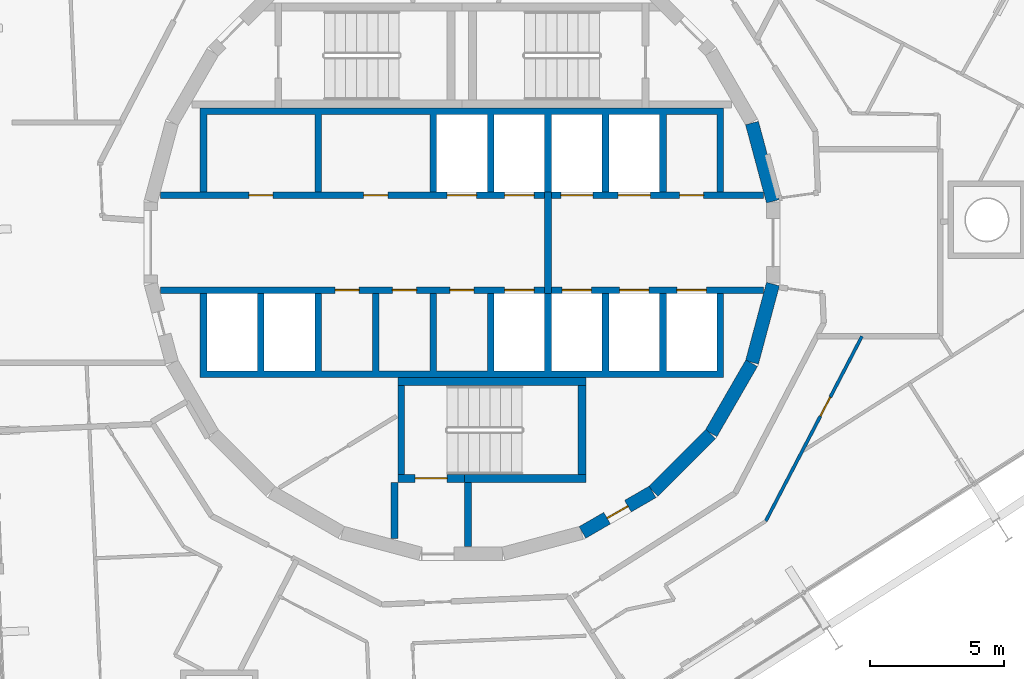
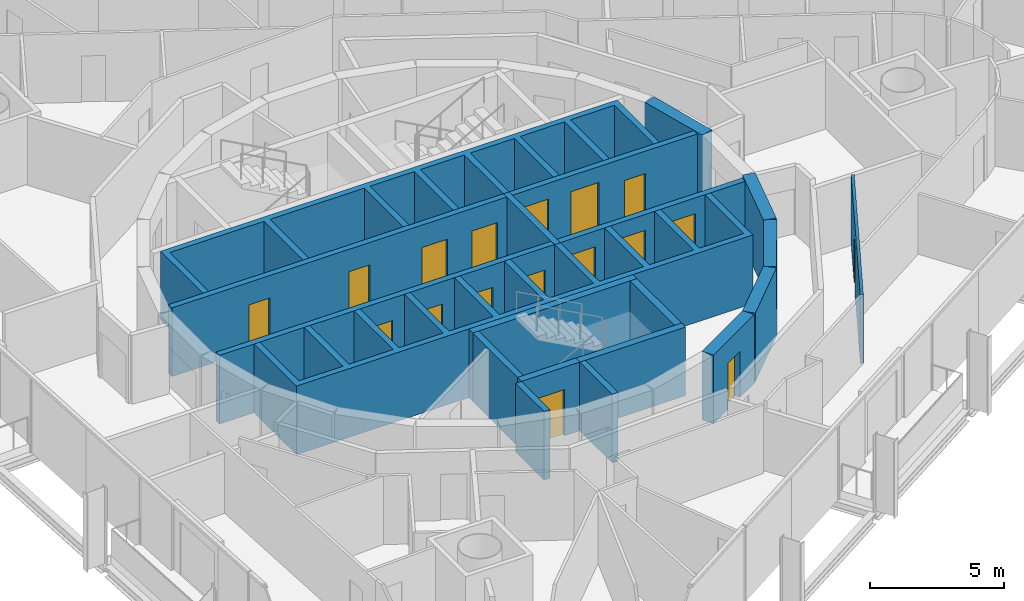
# One storey, part 13 of 17: 20 walls, 17 doors, 17 openings.
"""IFC4 building model written with IfcOpenShell, lengths in metres."""

from ifc_helpers import new_model, si_unit, direction, frame, frame_2d, origin, place, context, subcontext, project, spatial, polyline, rectangle, outline, extrude, material, layer, layer_set, type_object, element, fill, save


model = new_model("IFC4")

# Units and contexts
model_context = context("Model", 3, precision=1e-05, world=origin(), true_north=direction((0.0, 1.0)))
body_context = subcontext(model_context, "Body", "Model", "MODEL_VIEW")
ifc_project = project(units=[si_unit("LENGTHUNIT", "METRE"), si_unit("AREAUNIT", "SQUARE_METRE"), si_unit("VOLUMEUNIT", "CUBIC_METRE"), si_unit("PLANEANGLEUNIT", "RADIAN"), si_unit("MASSUNIT", "GRAM", prefix="KILO")], contexts=[model_context])

# Site, building, storey
site_placement = place(None, origin())
site = spatial("IfcSite", under=ifc_project, at=site_placement, CompositionType="ELEMENT")
building_placement = place(site_placement, origin())
building = spatial("IfcBuilding", under=site, at=building_placement, Name="Spindle Arch Residences", CompositionType="ELEMENT")
storey_placement = place(building_placement, frame((0.0, 0.0, 237.199951171875)))
storey = spatial("IfcBuildingStorey", under=building, at=storey_placement, Name="L60", CompositionType="ELEMENT", Elevation=237.199951171875)

# Wall, opening, door
ifc_material_1 = material(Name="Concrete C50/60", Category="concrete")
ifc_layer_1 = layer(ifc_material_1, 0.5)
ifc_layer_set_1 = layer_set([ifc_layer_1], Name="Core outline wall 500")
wall_type_1 = type_object("IfcWallType", Name="Core outline wall 500", PredefinedType="SHEAR", material=ifc_layer_set_1)
wall_1_placement = place(storey_placement, frame((4.510498046875, -10.84521484375, 0.0), z_axis=(0.0, 0.0, 1.0), x_axis=(0.865975092491, 0.500087131594, 0.0)))
wall_1 = element("IfcWall", 1, at=wall_1_placement, inside=storey, type_object=wall_type_1, Name="Core outline wall 2", PredefinedType="SHEAR", context=body_context, shape_type="SweptSolid", body=[
    extrude(rectangle(XDim=3.03271484375, YDim=0.5, at=frame_2d((1.516357421875, 0.0))), origin(), (0.0, 0.0, 1.0), 3.1201171875),
])
opening_1_placement = place(wall_1_placement, frame((1.06640625, 0.0, 0.0)))
opening_1 = element("IfcOpeningElement", 2, at=opening_1_placement, cuts=wall_1, Name="Opening R6B1-WD10", PredefinedType="OPENING", context=body_context, shape_type="SweptSolid", body=[
    extrude(rectangle(XDim=0.89990234375, YDim=2.10009765625, at=frame_2d((0.449951171875, 1.050048828125))), frame((0.0, 0.260009765625, 0.0), z_axis=(0.0, -1.0, 0.0), x_axis=(1.0, 0.0, 0.0)), (0.0, 0.0, 1.0), 0.52001953125),
])
ifc_material_2 = material(Name="Steel, fire-resisting door", Category="steel")
door_type_1 = type_object("IfcDoorType", Name="Service room door 900x2100", OperationType="SINGLE_SWING_LEFT", PredefinedType="DOOR", material=ifc_material_2)
door_1_placement = place(opening_1_placement, origin())
door_1 = element("IfcDoor", 3, at=door_1_placement, inside=storey, type_object=door_type_1, Name="Service room door R6B1-WD10", OperationType="SINGLE_SWING_RIGHT", OverallHeight=2.10009765625, OverallWidth=0.89990234375, PredefinedType="DOOR", context=body_context, shape_type="SweptSolid", body=[
    extrude(rectangle(XDim=0.89990234375, YDim=2.10009765625, at=frame_2d((0.449951171875, 1.050048828125))), frame((0.0, 0.02490234375, 0.0), z_axis=(0.0, -1.0, 0.0), x_axis=(1.0, 0.0, 0.0)), (0.0, 0.0, 1.0), 0.050048828125),
])
fill(opening_1, door_1)

# Walls
wall_2_placement = place(storey_placement, frame((7.163818359375, -9.30810546875, 0.0), z_axis=(0.0, 0.0, 1.0), x_axis=(0.707106781187, 0.707106781187, 0.0)))
element("IfcWall", 4, at=wall_2_placement, inside=storey, type_object=wall_type_1, Name="Core outline wall 3", PredefinedType="SHEAR", context=body_context, shape_type="SweptSolid", body=[
    extrude(rectangle(XDim=3.032470703125, YDim=0.5, at=frame_2d((1.51611328125, 0.0))), origin(), (0.0, 0.0, 1.0), 3.1201171875),
])
for number, where, z_axis, x_axis, name in (
    (5, (9.32861328125, -7.13671875, 0.0), (0.0, 0.0, 1.0), (0.500087131594, 0.865975092491, 0.0), "Core outline wall 4"),
    (6, (10.858154296875, -4.479248046875, 0.0), (0.0, 0.0, 1.0), (0.258734743916, 0.965948410781, 0.0), "Core outline wall 5"),
    (7, (11.642822265625, 1.5498046875, 0.0), (0.0, 0.0, 1.0), (-0.258734743916, 0.965948410781, 0.0), "Core outline wall 7"),
):
    element("IfcWall", number, at=place(storey_placement, frame(where, z_axis=z_axis, x_axis=x_axis)), inside=storey, type_object=wall_type_1, Name=name, PredefinedType="SHEAR", context=body_context, shape_type="SweptSolid", body=[
        extrude(rectangle(XDim=3.03271484375, YDim=0.5, at=frame_2d((1.516357421875, 0.0))), origin(), (0.0, 0.0, 1.0), 3.1201171875),
    ])

# Wall, openings, doors
ifc_material_3 = material(Name="Concrete C40/50", Category="concrete")
ifc_layer_2 = layer(ifc_material_3, 0.25)
ifc_layer_set_2 = layer_set([ifc_layer_2], Name="Fire-lift lobby wall 250")
wall_type_2 = type_object("IfcWallType", Name="Fire-lift lobby wall 250", PredefinedType="SHEAR", material=ifc_layer_set_2)
wall_3_placement = place(storey_placement, frame((3.35009765625, 1.77490234375, 0.0), z_axis=(0.0, 0.0, 1.0), x_axis=(1.0, 0.0, 0.0)))
wall_3 = element("IfcWall", 8, at=wall_3_placement, inside=storey, type_object=wall_type_2, Name="Lift shaft front wall NE", PredefinedType="SHEAR", context=body_context, shape_type="SweptSolid", body=[
    extrude(rectangle(XDim=7.929931640625, YDim=0.25, at=frame_2d((3.96484375, 0.0))), origin(), (0.0, 0.0, 1.0), 3.1201171875),
])
opening_2_placement = place(wall_3_placement, frame((0.35009765625, 0.0, 0.0)))
opening_2 = element("IfcOpeningElement", 9, at=opening_2_placement, cuts=wall_3, Name="Opening R6B1-SLD01", PredefinedType="OPENING", context=body_context, shape_type="SweptSolid", body=[
    extrude(rectangle(XDim=1.199951171875, YDim=2.39990234375, at=frame_2d((0.60009765625, 1.199951171875))), frame((0.0, 0.135009765625, 0.0), z_axis=(0.0, -1.0, 0.0), x_axis=(1.0, 0.0, 0.0)), (0.0, 0.0, 1.0), 0.27001953125),
])
opening_3_placement = place(wall_3_placement, frame((2.5, 0.0, 0.0)))
opening_3 = element("IfcOpeningElement", 10, at=opening_3_placement, cuts=wall_3, Name="Opening R6B1-SLD02", PredefinedType="OPENING", context=body_context, shape_type="SweptSolid", body=[
    extrude(rectangle(XDim=1.199951171875, YDim=2.39990234375, at=frame_2d((0.60009765625, 1.199951171875))), frame((0.0, 0.135009765625, 0.0), z_axis=(0.0, -1.0, 0.0), x_axis=(1.0, 0.0, 0.0)), (0.0, 0.0, 1.0), 0.27001953125),
])
opening_4_placement = place(wall_3_placement, frame((4.800048828125, 0.0, 0.0)))
opening_4 = element("IfcOpeningElement", 11, at=opening_4_placement, cuts=wall_3, Name="Opening R6B1-WD03", PredefinedType="OPENING", context=body_context, shape_type="SweptSolid", body=[
    extrude(rectangle(XDim=0.89990234375, YDim=2.10009765625, at=frame_2d((0.449951171875, 1.050048828125))), frame((0.0, 0.135009765625, 0.0), z_axis=(0.0, -1.0, 0.0), x_axis=(1.0, 0.0, 0.0)), (0.0, 0.0, 1.0), 0.27001953125),
])
ifc_material_4 = material(Name="Steel, fire-resisting landing door", Category="steel")
door_type_2 = type_object("IfcDoorType", Name="Service lift landing door 1200x2400", OperationType="DOUBLE_DOOR_SLIDING", PredefinedType="DOOR", material=ifc_material_4)
door_2_placement = place(opening_2_placement, origin())
door_2 = element("IfcDoor", 12, at=door_2_placement, inside=storey, type_object=door_type_2, Name="Service lift landing door R6B1-SLD01", OperationType="DOUBLE_DOOR_SLIDING", OverallHeight=2.39990234375, OverallWidth=1.199951171875, PredefinedType="DOOR", context=body_context, shape_type="SweptSolid", body=[
    extrude(rectangle(XDim=1.199951171875, YDim=2.39990234375, at=frame_2d((0.60009765625, 1.199951171875))), frame((0.0, 0.02490234375, 0.0), z_axis=(0.0, -1.0, 0.0), x_axis=(1.0, 0.0, 0.0)), (0.0, 0.0, 1.0), 0.050048828125),
])
fill(opening_2, door_2)
door_3_placement = place(opening_3_placement, origin())
door_3 = element("IfcDoor", 13, at=door_3_placement, inside=storey, type_object=door_type_2, Name="Service lift landing door R6B1-SLD02", OperationType="DOUBLE_DOOR_SLIDING", OverallHeight=2.39990234375, OverallWidth=1.199951171875, PredefinedType="DOOR", context=body_context, shape_type="SweptSolid", body=[
    extrude(rectangle(XDim=1.199951171875, YDim=2.39990234375, at=frame_2d((0.60009765625, 1.199951171875))), frame((0.0, 0.02490234375, 0.0), z_axis=(0.0, -1.0, 0.0), x_axis=(1.0, 0.0, 0.0)), (0.0, 0.0, 1.0), 0.050048828125),
])
fill(opening_3, door_3)
door_4_placement = place(opening_4_placement, origin())
door_4 = element("IfcDoor", 14, at=door_4_placement, inside=storey, type_object=door_type_1, Name="Service room door R6B1-WD03", OperationType="SINGLE_SWING_LEFT", OverallHeight=2.10009765625, OverallWidth=0.89990234375, PredefinedType="DOOR", context=body_context, shape_type="SweptSolid", body=[
    extrude(rectangle(XDim=0.89990234375, YDim=2.10009765625, at=frame_2d((0.449951171875, 1.050048828125))), frame((0.0, 0.02490234375, 0.0), z_axis=(0.0, -1.0, 0.0), x_axis=(1.0, 0.0, 0.0)), (0.0, 0.0, 1.0), 0.050048828125),
])
fill(opening_4, door_4)

# Wall
wall_4_placement = place(storey_placement, frame((3.22509765625, -1.89990234375, 0.0), z_axis=(0.0, 0.0, 1.0), x_axis=(0.0, 1.0, 0.0)))
element("IfcWall", 15, at=wall_4_placement, inside=storey, type_object=wall_type_2, Name="Fire-fighting lobby partition", PredefinedType="SHEAR", context=body_context, shape_type="SweptSolid", body=[
    extrude(rectangle(XDim=3.7998046875, YDim=0.25, at=frame_2d((1.89990234375, 0.0))), origin(), (0.0, 0.0, 1.0), 3.1201171875),
])

# Wall, openings, doors
ifc_material_5 = material(Name="Concrete C50/60", Category="concrete")
ifc_layer_3 = layer(ifc_material_5, 0.25)
ifc_layer_set_3 = layer_set([ifc_layer_3], Name="Fire-lift shaft wall 250")
wall_type_3 = type_object("IfcWallType", Name="Fire-lift shaft wall 250", PredefinedType="SHEAR", material=ifc_layer_set_3)
wall_5_placement = place(storey_placement, frame((3.35009765625, -1.77490234375, 0.0), z_axis=(0.0, 0.0, 1.0), x_axis=(1.0, 0.0, 0.0)))
wall_5 = element("IfcWall", 16, at=wall_5_placement, inside=storey, type_object=wall_type_3, Name="Lift shaft front wall SE", PredefinedType="SHEAR", context=body_context, shape_type="SweptSolid", body=[
    extrude(rectangle(XDim=7.929931640625, YDim=0.25, at=frame_2d((3.96484375, 0.0))), origin(), (0.0, 0.0, 1.0), 3.1201171875),
])
opening_5_placement = place(wall_5_placement, frame((0.39990234375, 0.0, 0.0)))
opening_5 = element("IfcOpeningElement", 17, at=opening_5_placement, cuts=wall_5, Name="Opening R6B1-FLD01", PredefinedType="OPENING", context=body_context, shape_type="SweptSolid", body=[
    extrude(rectangle(XDim=1.10009765625, YDim=2.39990234375, at=frame_2d((0.550048828125, 1.199951171875))), frame((0.0, 0.135009765625, 0.0), z_axis=(0.0, -1.0, 0.0), x_axis=(1.0, 0.0, 0.0)), (0.0, 0.0, 1.0), 0.27001953125),
])
opening_6_placement = place(wall_5_placement, frame((2.550048828125, 0.0, 0.0)))
opening_6 = element("IfcOpeningElement", 18, at=opening_6_placement, cuts=wall_5, Name="Opening R6B1-FLD02", PredefinedType="OPENING", context=body_context, shape_type="SweptSolid", body=[
    extrude(rectangle(XDim=1.10009765625, YDim=2.39990234375, at=frame_2d((0.550048828125, 1.199951171875))), frame((0.0, 0.135009765625, 0.0), z_axis=(0.0, -1.0, 0.0), x_axis=(1.0, 0.0, 0.0)), (0.0, 0.0, 1.0), 0.27001953125),
])
opening_7_placement = place(wall_5_placement, frame((4.699951171875, 0.0, 0.0)))
opening_7 = element("IfcOpeningElement", 19, at=opening_7_placement, cuts=wall_5, Name="Opening R6B1-FLD03", PredefinedType="OPENING", context=body_context, shape_type="SweptSolid", body=[
    extrude(rectangle(XDim=1.10009765625, YDim=2.39990234375, at=frame_2d((0.550048828125, 1.199951171875))), frame((0.0, 0.135009765625, 0.0), z_axis=(0.0, -1.0, 0.0), x_axis=(1.0, 0.0, 0.0)), (0.0, 0.0, 1.0), 0.27001953125),
])
ifc_material_6 = material(Name="Steel, fire-resisting landing door", Category="steel")
door_type_3 = type_object("IfcDoorType", Name="Fire-fighting lift landing door 1100x2400", OperationType="DOUBLE_DOOR_SLIDING", PredefinedType="DOOR", material=ifc_material_6)
door_5_placement = place(opening_5_placement, origin())
door_5 = element("IfcDoor", 20, at=door_5_placement, inside=storey, type_object=door_type_3, Name="Fire-fighting lift landing door R6B1-FLD01", OperationType="DOUBLE_DOOR_SLIDING", OverallHeight=2.39990234375, OverallWidth=1.10009765625, PredefinedType="DOOR", context=body_context, shape_type="SweptSolid", body=[
    extrude(rectangle(XDim=1.10009765625, YDim=2.39990234375, at=frame_2d((0.550048828125, 1.199951171875))), frame((0.0, 0.02490234375, 0.0), z_axis=(0.0, -1.0, 0.0), x_axis=(1.0, 0.0, 0.0)), (0.0, 0.0, 1.0), 0.050048828125),
])
fill(opening_5, door_5)
door_6_placement = place(opening_6_placement, origin())
door_6 = element("IfcDoor", 21, at=door_6_placement, inside=storey, type_object=door_type_3, Name="Fire-fighting lift landing door R6B1-FLD02", OperationType="DOUBLE_DOOR_SLIDING", OverallHeight=2.39990234375, OverallWidth=1.10009765625, PredefinedType="DOOR", context=body_context, shape_type="SweptSolid", body=[
    extrude(rectangle(XDim=1.10009765625, YDim=2.39990234375, at=frame_2d((0.550048828125, 1.199951171875))), frame((0.0, 0.02490234375, 0.0), z_axis=(0.0, -1.0, 0.0), x_axis=(1.0, 0.0, 0.0)), (0.0, 0.0, 1.0), 0.050048828125),
])
fill(opening_6, door_6)
door_7_placement = place(opening_7_placement, origin())
door_7 = element("IfcDoor", 22, at=door_7_placement, inside=storey, type_object=door_type_3, Name="Fire-fighting lift landing door R6B1-FLD03", OperationType="DOUBLE_DOOR_SLIDING", OverallHeight=2.39990234375, OverallWidth=1.10009765625, PredefinedType="DOOR", context=body_context, shape_type="SweptSolid", body=[
    extrude(rectangle(XDim=1.10009765625, YDim=2.39990234375, at=frame_2d((0.550048828125, 1.199951171875))), frame((0.0, 0.02490234375, 0.0), z_axis=(0.0, -1.0, 0.0), x_axis=(1.0, 0.0, 0.0)), (0.0, 0.0, 1.0), 0.050048828125),
])
fill(opening_7, door_7)

# Wall, opening, door
ifc_material_7 = material(Name="Plasterboard on steel studs", Category="steel")
ifc_layer_4 = layer(ifc_material_7, 0.1201171875)
ifc_layer_set_4 = layer_set([ifc_layer_4], Name="Flat partition 120")
wall_type_4 = type_object("IfcWallType", Name="Flat partition 120", PredefinedType="PARTITIONING", material=ifc_layer_set_4)
wall_6_placement = place(storey_placement, frame((11.373046875, -10.42138671875, 0.0), z_axis=(0.0, 0.0, 1.0), x_axis=(0.461746745223, 0.887011805601, 0.0)))
wall_6 = element("IfcWall", 23, at=wall_6_placement, inside=storey, type_object=wall_type_4, Name="Flat partition R6B1-W097", PredefinedType="PARTITIONING", context=body_context, shape_type="SweptSolid", body=[
    extrude(rectangle(XDim=7.802978515625, YDim=0.1201171875, at=frame_2d((3.9013671875, 0.0))), origin(), (0.0, 0.0, 1.0), 3.1201171875),
])
opening_8_placement = place(wall_6_placement, frame((4.431396484375, 0.0, 0.0)))
opening_8 = element("IfcOpeningElement", 24, at=opening_8_placement, cuts=wall_6, Name="Opening R6B1-BD06", PredefinedType="OPENING", context=body_context, shape_type="SweptSolid", body=[
    extrude(rectangle(XDim=0.800048828125, YDim=2.10009765625, at=frame_2d((0.39990234375, 1.050048828125))), frame((0.0, 0.070068359375, 0.0), z_axis=(0.0, -1.0, 0.0), x_axis=(1.0, 0.0, 0.0)), (0.0, 0.0, 1.0), 0.14013671875),
])
ifc_material_8 = material(Name="Timber door set", Category="wood")
door_type_4 = type_object("IfcDoorType", Name="Bathroom door 800x2100", OperationType="NOTDEFINED", PredefinedType="DOOR", material=ifc_material_8)
door_8_placement = place(opening_8_placement, origin())
door_8 = element("IfcDoor", 25, at=door_8_placement, inside=storey, type_object=door_type_4, Name="Bathroom door R6B1-BD06", OperationType="SINGLE_SWING_RIGHT", OverallHeight=2.10009765625, OverallWidth=0.800048828125, PredefinedType="DOOR", context=body_context, shape_type="SweptSolid", body=[
    extrude(rectangle(XDim=0.800048828125, YDim=2.10009765625, at=frame_2d((0.39990234375, 1.050048828125))), frame((0.0, 0.02490234375, 0.0), z_axis=(0.0, -1.0, 0.0), x_axis=(1.0, 0.0, 0.0)), (0.0, 0.0, 1.0), 0.050048828125),
])
fill(opening_8, door_8)

# Wall, openings, doors
ifc_material_9 = material(Name="Concrete C50/60", Category="concrete")
ifc_layer_5 = layer(ifc_material_9, 0.25)
ifc_layer_set_5 = layer_set([ifc_layer_5], Name="Lift shaft wall 250")
wall_type_5 = type_object("IfcWallType", Name="Lift shaft wall 250", PredefinedType="SHEAR", material=ifc_layer_set_5)
wall_7_placement = place(storey_placement, frame((-11.280029296875, 1.77490234375, 0.0), z_axis=(0.0, 0.0, 1.0), x_axis=(1.0, 0.0, 0.0)))
wall_7 = element("IfcWall", 26, at=wall_7_placement, inside=storey, type_object=wall_type_5, Name="Lift shaft front wall NW", PredefinedType="SHEAR", context=body_context, shape_type="SweptSolid", body=[
    extrude(rectangle(XDim=14.380126953125, YDim=0.25, at=frame_2d((7.18994140625, 0.0))), origin(), (0.0, 0.0, 1.0), 3.1201171875),
])
opening_9_placement = place(wall_7_placement, frame((10.72998046875, 0.0, 0.0)))
opening_9 = element("IfcOpeningElement", 27, at=opening_9_placement, cuts=wall_7, Name="Opening R6B1-LD01", PredefinedType="OPENING", context=body_context, shape_type="SweptSolid", body=[
    extrude(rectangle(XDim=1.10009765625, YDim=2.10009765625, at=frame_2d((0.550048828125, 1.050048828125))), frame((0.0, 0.135009765625, 0.0), z_axis=(0.0, -1.0, 0.0), x_axis=(1.0, 0.0, 0.0)), (0.0, 0.0, 1.0), 0.27001953125),
])
opening_10_placement = place(wall_7_placement, frame((12.8798828125, 0.0, 0.0)))
opening_10 = element("IfcOpeningElement", 28, at=opening_10_placement, cuts=wall_7, Name="Opening R6B1-LD02", PredefinedType="OPENING", context=body_context, shape_type="SweptSolid", body=[
    extrude(rectangle(XDim=1.10009765625, YDim=2.10009765625, at=frame_2d((0.550048828125, 1.050048828125))), frame((0.0, 0.135009765625, 0.0), z_axis=(0.0, -1.0, 0.0), x_axis=(1.0, 0.0, 0.0)), (0.0, 0.0, 1.0), 0.27001953125),
])
opening_11_placement = place(wall_7_placement, frame((3.304931640625, 0.0, 0.0)))
opening_11 = element("IfcOpeningElement", 29, at=opening_11_placement, cuts=wall_7, Name="Opening R6B1-WD01", PredefinedType="OPENING", context=body_context, shape_type="SweptSolid", body=[
    extrude(rectangle(XDim=0.89990234375, YDim=2.10009765625, at=frame_2d((0.449951171875, 1.050048828125))), frame((0.0, 0.135009765625, 0.0), z_axis=(0.0, -1.0, 0.0), x_axis=(1.0, 0.0, 0.0)), (0.0, 0.0, 1.0), 0.27001953125),
])
opening_12_placement = place(wall_7_placement, frame((7.60498046875, 0.0, 0.0)))
opening_12 = element("IfcOpeningElement", 30, at=opening_12_placement, cuts=wall_7, Name="Opening R6B1-WD02", PredefinedType="OPENING", context=body_context, shape_type="SweptSolid", body=[
    extrude(rectangle(XDim=0.89990234375, YDim=2.10009765625, at=frame_2d((0.449951171875, 1.050048828125))), frame((0.0, 0.135009765625, 0.0), z_axis=(0.0, -1.0, 0.0), x_axis=(1.0, 0.0, 0.0)), (0.0, 0.0, 1.0), 0.27001953125),
])
ifc_material_10 = material(Name="Steel, fire-resisting landing door", Category="steel")
door_type_5 = type_object("IfcDoorType", Name="Lift landing door 1100x2100", OperationType="DOUBLE_DOOR_SLIDING", PredefinedType="DOOR", material=ifc_material_10)
door_9_placement = place(opening_9_placement, origin())
door_9 = element("IfcDoor", 31, at=door_9_placement, inside=storey, type_object=door_type_5, Name="Lift landing door R6B1-LD01", OperationType="DOUBLE_DOOR_SLIDING", OverallHeight=2.10009765625, OverallWidth=1.10009765625, PredefinedType="DOOR", context=body_context, shape_type="SweptSolid", body=[
    extrude(rectangle(XDim=1.10009765625, YDim=2.10009765625, at=frame_2d((0.550048828125, 1.050048828125))), frame((0.0, 0.02490234375, 0.0), z_axis=(0.0, -1.0, 0.0), x_axis=(1.0, 0.0, 0.0)), (0.0, 0.0, 1.0), 0.050048828125),
])
fill(opening_9, door_9)
door_10_placement = place(opening_10_placement, origin())
door_10 = element("IfcDoor", 32, at=door_10_placement, inside=storey, type_object=door_type_5, Name="Lift landing door R6B1-LD02", OperationType="DOUBLE_DOOR_SLIDING", OverallHeight=2.10009765625, OverallWidth=1.10009765625, PredefinedType="DOOR", context=body_context, shape_type="SweptSolid", body=[
    extrude(rectangle(XDim=1.10009765625, YDim=2.10009765625, at=frame_2d((0.550048828125, 1.050048828125))), frame((0.0, 0.02490234375, 0.0), z_axis=(0.0, -1.0, 0.0), x_axis=(1.0, 0.0, 0.0)), (0.0, 0.0, 1.0), 0.050048828125),
])
fill(opening_10, door_10)
door_11_placement = place(opening_11_placement, origin())
door_11 = element("IfcDoor", 33, at=door_11_placement, inside=storey, type_object=door_type_1, Name="Service room door R6B1-WD01", OperationType="SINGLE_SWING_LEFT", OverallHeight=2.10009765625, OverallWidth=0.89990234375, PredefinedType="DOOR", context=body_context, shape_type="SweptSolid", body=[
    extrude(rectangle(XDim=0.89990234375, YDim=2.10009765625, at=frame_2d((0.449951171875, 1.050048828125))), frame((0.0, 0.02490234375, 0.0), z_axis=(0.0, -1.0, 0.0), x_axis=(1.0, 0.0, 0.0)), (0.0, 0.0, 1.0), 0.050048828125),
])
fill(opening_11, door_11)
door_12_placement = place(opening_12_placement, origin())
door_12 = element("IfcDoor", 34, at=door_12_placement, inside=storey, type_object=door_type_1, Name="Service room door R6B1-WD02", OperationType="SINGLE_SWING_RIGHT", OverallHeight=2.10009765625, OverallWidth=0.89990234375, PredefinedType="DOOR", context=body_context, shape_type="SweptSolid", body=[
    extrude(rectangle(XDim=0.89990234375, YDim=2.10009765625, at=frame_2d((0.449951171875, 1.050048828125))), frame((0.0, 0.02490234375, 0.0), z_axis=(0.0, -1.0, 0.0), x_axis=(1.0, 0.0, 0.0)), (0.0, 0.0, 1.0), 0.050048828125),
])
fill(opening_12, door_12)

wall_8_placement = place(storey_placement, frame((-11.280029296875, -1.77490234375, 0.0), z_axis=(0.0, 0.0, 1.0), x_axis=(1.0, 0.0, 0.0)))
wall_8 = element("IfcWall", 35, at=wall_8_placement, inside=storey, type_object=wall_type_5, Name="Lift shaft front wall SW", PredefinedType="SHEAR", context=body_context, shape_type="SweptSolid", body=[
    extrude(rectangle(XDim=14.380126953125, YDim=0.25, at=frame_2d((7.18994140625, 0.0))), origin(), (0.0, 0.0, 1.0), 3.1201171875),
])
opening_13_placement = place(wall_8_placement, frame((12.8798828125, 0.0, 0.0)))
opening_13 = element("IfcOpeningElement", 36, at=opening_13_placement, cuts=wall_8, Name="Opening R6B1-LD03", PredefinedType="OPENING", context=body_context, shape_type="SweptSolid", body=[
    extrude(rectangle(XDim=1.10009765625, YDim=2.10009765625, at=frame_2d((0.550048828125, 1.050048828125))), frame((0.0, 0.135009765625, 0.0), z_axis=(0.0, -1.0, 0.0), x_axis=(1.0, 0.0, 0.0)), (0.0, 0.0, 1.0), 0.27001953125),
])
opening_14_placement = place(wall_8_placement, frame((6.530029296875, 0.0, 0.0)))
opening_14 = element("IfcOpeningElement", 37, at=opening_14_placement, cuts=wall_8, Name="Opening R6B1-WD04", PredefinedType="OPENING", context=body_context, shape_type="SweptSolid", body=[
    extrude(rectangle(XDim=0.89990234375, YDim=2.10009765625, at=frame_2d((0.449951171875, 1.050048828125))), frame((0.0, 0.135009765625, 0.0), z_axis=(0.0, -1.0, 0.0), x_axis=(1.0, 0.0, 0.0)), (0.0, 0.0, 1.0), 0.27001953125),
])
opening_15_placement = place(wall_8_placement, frame((8.679931640625, 0.0, 0.0)))
opening_15 = element("IfcOpeningElement", 38, at=opening_15_placement, cuts=wall_8, Name="Opening R6B1-WD05", PredefinedType="OPENING", context=body_context, shape_type="SweptSolid", body=[
    extrude(rectangle(XDim=0.89990234375, YDim=2.10009765625, at=frame_2d((0.449951171875, 1.050048828125))), frame((0.0, 0.135009765625, 0.0), z_axis=(0.0, -1.0, 0.0), x_axis=(1.0, 0.0, 0.0)), (0.0, 0.0, 1.0), 0.27001953125),
])
opening_16_placement = place(wall_8_placement, frame((10.830078125, 0.0, 0.0)))
opening_16 = element("IfcOpeningElement", 39, at=opening_16_placement, cuts=wall_8, Name="Opening R6B1-WD06", PredefinedType="OPENING", context=body_context, shape_type="SweptSolid", body=[
    extrude(rectangle(XDim=0.89990234375, YDim=2.10009765625, at=frame_2d((0.449951171875, 1.050048828125))), frame((0.0, 0.135009765625, 0.0), z_axis=(0.0, -1.0, 0.0), x_axis=(1.0, 0.0, 0.0)), (0.0, 0.0, 1.0), 0.27001953125),
])
door_13_placement = place(opening_13_placement, origin())
door_13 = element("IfcDoor", 40, at=door_13_placement, inside=storey, type_object=door_type_5, Name="Lift landing door R6B1-LD03", OperationType="DOUBLE_DOOR_SLIDING", OverallHeight=2.10009765625, OverallWidth=1.10009765625, PredefinedType="DOOR", context=body_context, shape_type="SweptSolid", body=[
    extrude(rectangle(XDim=1.10009765625, YDim=2.10009765625, at=frame_2d((0.550048828125, 1.050048828125))), frame((0.0, 0.02490234375, 0.0), z_axis=(0.0, -1.0, 0.0), x_axis=(1.0, 0.0, 0.0)), (0.0, 0.0, 1.0), 0.050048828125),
])
fill(opening_13, door_13)
door_14_placement = place(opening_14_placement, origin())
door_14 = element("IfcDoor", 41, at=door_14_placement, inside=storey, type_object=door_type_1, Name="Service room door R6B1-WD04", OperationType="SINGLE_SWING_RIGHT", OverallHeight=2.10009765625, OverallWidth=0.89990234375, PredefinedType="DOOR", context=body_context, shape_type="SweptSolid", body=[
    extrude(rectangle(XDim=0.89990234375, YDim=2.10009765625, at=frame_2d((0.449951171875, 1.050048828125))), frame((0.0, 0.02490234375, 0.0), z_axis=(0.0, -1.0, 0.0), x_axis=(1.0, 0.0, 0.0)), (0.0, 0.0, 1.0), 0.050048828125),
])
fill(opening_14, door_14)
door_15_placement = place(opening_15_placement, origin())
door_15 = element("IfcDoor", 42, at=door_15_placement, inside=storey, type_object=door_type_1, Name="Service room door R6B1-WD05", OperationType="SINGLE_SWING_LEFT", OverallHeight=2.10009765625, OverallWidth=0.89990234375, PredefinedType="DOOR", context=body_context, shape_type="SweptSolid", body=[
    extrude(rectangle(XDim=0.89990234375, YDim=2.10009765625, at=frame_2d((0.449951171875, 1.050048828125))), frame((0.0, 0.02490234375, 0.0), z_axis=(0.0, -1.0, 0.0), x_axis=(1.0, 0.0, 0.0)), (0.0, 0.0, 1.0), 0.050048828125),
])
fill(opening_15, door_15)
door_16_placement = place(opening_16_placement, origin())
door_16 = element("IfcDoor", 43, at=door_16_placement, inside=storey, type_object=door_type_1, Name="Service room door R6B1-WD06", OperationType="SINGLE_SWING_RIGHT", OverallHeight=2.10009765625, OverallWidth=0.89990234375, PredefinedType="DOOR", context=body_context, shape_type="SweptSolid", body=[
    extrude(rectangle(XDim=0.89990234375, YDim=2.10009765625, at=frame_2d((0.449951171875, 1.050048828125))), frame((0.0, 0.02490234375, 0.0), z_axis=(0.0, -1.0, 0.0), x_axis=(1.0, 0.0, 0.0)), (0.0, 0.0, 1.0), 0.050048828125),
])
fill(opening_16, door_16)

# Walls
ifc_material_11 = material(Name="Concrete C50/60", Category="concrete")
wall_type_6 = type_object("IfcWallType", Name="Lift shaft wall profile", PredefinedType="SHEAR", material=ifc_material_11)
wall_9_placement = place(storey_placement, origin())
element("IfcWall", 44, at=wall_9_placement, inside=storey, type_object=wall_type_6, Name="Lift shaft walls N", PredefinedType="SHEAR", context=body_context, shape_type="SweptSolid", body=[
    extrude(outline(polyline([(-9.550048828125, 4.800048828125), (-5.5, 4.800048828125), (-5.5, 1.89990234375), (-5.25, 1.89990234375), (-5.25, 4.800048828125), (-1.199951171875, 4.800048828125), (-1.199951171875, 1.89990234375), (-0.949951171875, 1.89990234375), (-0.949951171875, 4.800048828125), (0.949951171875, 4.800048828125), (0.949951171875, 1.89990234375), (1.199951171875, 1.89990234375), (1.199951171875, 4.800048828125), (3.10009765625, 4.800048828125), (3.10009765625, 1.89990234375), (3.35009765625, 1.89990234375), (3.35009765625, 4.800048828125), (5.25, 4.800048828125), (5.25, 1.89990234375), (5.5, 1.89990234375), (5.5, 4.800048828125), (7.39990234375, 4.800048828125), (7.39990234375, 1.89990234375), (7.64990234375, 1.89990234375), (7.64990234375, 4.800048828125), (9.550048828125, 4.800048828125), (9.550048828125, 1.89990234375), (9.800048828125, 1.89990234375), (9.800048828125, 4.800048828125), (9.800048828125, 5.050048828125), (-9.800048828125, 5.050048828125), (-9.800048828125, 4.800048828125), (-9.800048828125, 1.89990234375), (-9.550048828125, 1.89990234375), (-9.550048828125, 4.800048828125)])), origin(), (0.0, 0.0, 1.0), 3.1201171875),
])
wall_10_placement = place(storey_placement, origin())
element("IfcWall", 45, at=wall_10_placement, inside=storey, type_object=wall_type_6, Name="Lift shaft walls S", PredefinedType="SHEAR", context=body_context, shape_type="SweptSolid", body=[
    extrude(outline(polyline([(9.800048828125, -5.050048828125), (9.800048828125, -4.800048828125), (9.800048828125, -1.89990234375), (9.550048828125, -1.89990234375), (9.550048828125, -4.800048828125), (7.64990234375, -4.800048828125), (7.64990234375, -1.89990234375), (7.39990234375, -1.89990234375), (7.39990234375, -4.800048828125), (5.5, -4.800048828125), (5.5, -1.89990234375), (5.25, -1.89990234375), (5.25, -4.800048828125), (3.35009765625, -4.800048828125), (3.35009765625, -1.89990234375), (3.10009765625, -1.89990234375), (3.10009765625, -4.800048828125), (1.199951171875, -4.800048828125), (1.199951171875, -1.89990234375), (0.949951171875, -1.89990234375), (0.949951171875, -4.800048828125), (-0.949951171875, -4.800048828125), (-0.949951171875, -1.89990234375), (-1.199951171875, -1.89990234375), (-1.199951171875, -4.800048828125), (-3.10009765625, -4.800048828125), (-3.10009765625, -1.89990234375), (-3.35009765625, -1.89990234375), (-3.35009765625, -4.800048828125), (-5.25, -4.800048828125), (-5.25, -1.89990234375), (-5.5, -1.89990234375), (-5.5, -4.800048828125), (-7.39990234375, -4.800048828125), (-7.39990234375, -1.89990234375), (-7.64990234375, -1.89990234375), (-7.64990234375, -4.800048828125), (-9.550048828125, -4.800048828125), (-9.550048828125, -1.89990234375), (-9.800048828125, -1.89990234375), (-9.800048828125, -4.800048828125), (-9.800048828125, -5.050048828125), (9.800048828125, -5.050048828125)])), origin(), (0.0, 0.0, 1.0), 3.1201171875),
])
ifc_material_12 = material(Name="Concrete C40/50", Category="concrete")
ifc_layer_6 = layer(ifc_material_12, 0.25)
ifc_layer_set_6 = layer_set([ifc_layer_6], Name="Stair airlock wall 250")
wall_type_7 = type_object("IfcWallType", Name="Stair airlock wall 250", PredefinedType="SHEAR", material=ifc_layer_set_6)
wall_11_placement = place(storey_placement, frame((-2.52490234375, -8.969970703125, 0.0), z_axis=(0.0, 0.0, 1.0), x_axis=(0.0, -1.0, 0.0)))
element("IfcWall", 46, at=wall_11_placement, inside=storey, type_object=wall_type_7, Name="Stair ST-3 airlock wall W", PredefinedType="SHEAR", context=body_context, shape_type="SweptSolid", body=[
    extrude(rectangle(XDim=2.110107421875, YDim=0.25, at=frame_2d((1.05517578125, 0.0))), origin(), (0.0, 0.0, 1.0), 3.1201171875),
])
wall_12_placement = place(storey_placement, frame((0.22509765625, -8.969970703125, 0.0), z_axis=(0.0, 0.0, 1.0), x_axis=(0.0, -1.0, 0.0)))
element("IfcWall", 47, at=wall_12_placement, inside=storey, type_object=wall_type_7, Name="Stair ST-3 airlock wall E", PredefinedType="SHEAR", context=body_context, shape_type="SweptSolid", body=[
    extrude(rectangle(XDim=2.409912109375, YDim=0.25, at=frame_2d((1.205078125, 0.0))), origin(), (0.0, 0.0, 1.0), 3.1201171875),
])
ifc_material_13 = material(Name="Concrete C50/60", Category="concrete")
ifc_layer_7 = layer(ifc_material_13, 0.25)
ifc_layer_set_7 = layer_set([ifc_layer_7], Name="Stair enclosure wall 250")
wall_type_8 = type_object("IfcWallType", Name="Stair enclosure wall 250", PredefinedType="SHEAR", material=ifc_layer_set_7)
wall_13_placement = place(storey_placement, frame((-2.27490234375, -8.669921875, 0.0), z_axis=(0.0, 0.0, 1.0), x_axis=(0.0, 1.0, 0.0)))
element("IfcWall", 48, at=wall_13_placement, inside=storey, type_object=wall_type_8, Name="Stair ST-3 enclosure wall W", PredefinedType="SHEAR", context=body_context, shape_type="SweptSolid", body=[
    extrude(rectangle(XDim=3.31982421875, YDim=0.25, at=frame_2d((1.659912109375, 0.0))), origin(), (0.0, 0.0, 1.0), 3.1201171875),
])
ifc_material_14 = material(Name="Concrete C50/60", Category="concrete")
ifc_layer_8 = layer(ifc_material_14, 0.300048828125)
ifc_layer_set_8 = layer_set([ifc_layer_8], Name="Stair enclosure wall 300")
wall_type_9 = type_object("IfcWallType", Name="Stair enclosure wall 300", PredefinedType="SHEAR", material=ifc_layer_set_8)
wall_14_placement = place(storey_placement, frame((-2.39990234375, -5.199951171875, 0.0), z_axis=(0.0, 0.0, 1.0), x_axis=(1.0, 0.0, 0.0)))
element("IfcWall", 49, at=wall_14_placement, inside=storey, type_object=wall_type_9, Name="Stair ST-3 enclosure wall N", PredefinedType="SHEAR", context=body_context, shape_type="SweptSolid", body=[
    extrude(rectangle(XDim=7.0498046875, YDim=0.300048828125, at=frame_2d((3.52490234375, 0.0))), origin(), (0.0, 0.0, 1.0), 3.1201171875),
])
wall_15_placement = place(storey_placement, frame((4.5, -8.669921875, 0.0), z_axis=(0.0, 0.0, 1.0), x_axis=(0.0, 1.0, 0.0)))
element("IfcWall", 50, at=wall_15_placement, inside=storey, type_object=wall_type_9, Name="Stair ST-3 enclosure wall E", PredefinedType="SHEAR", context=body_context, shape_type="SweptSolid", body=[
    extrude(rectangle(XDim=3.31982421875, YDim=0.300048828125, at=frame_2d((1.659912109375, 0.0))), origin(), (0.0, 0.0, 1.0), 3.1201171875),
])
wall_16_placement = place(storey_placement, frame((0.10009765625, -8.820068359375, 0.0), z_axis=(0.0, 0.0, 1.0), x_axis=(1.0, 0.0, 0.0)))
element("IfcWall", 51, at=wall_16_placement, inside=storey, type_object=wall_type_9, Name="Stair ST-3 enclosure wall S", PredefinedType="SHEAR", context=body_context, shape_type="SweptSolid", body=[
    extrude(rectangle(XDim=4.5498046875, YDim=0.300048828125, at=frame_2d((2.27490234375, 0.0))), origin(), (0.0, 0.0, 1.0), 3.1201171875),
])

# Wall, opening, door
wall_17_placement = place(storey_placement, frame((-2.39990234375, -8.820068359375, 0.0), z_axis=(0.0, 0.0, 1.0), x_axis=(1.0, 0.0, 0.0)))
wall_17 = element("IfcWall", 52, at=wall_17_placement, inside=storey, type_object=wall_type_9, Name="Stair ST-3 door wall", PredefinedType="SHEAR", context=body_context, shape_type="SweptSolid", body=[
    extrude(rectangle(XDim=2.5, YDim=0.300048828125, at=frame_2d((1.25, 0.0))), origin(), (0.0, 0.0, 1.0), 3.1201171875),
])
opening_17_placement = place(wall_17_placement, frame((0.64990234375, 0.0, 0.0)))
opening_17 = element("IfcOpeningElement", 53, at=opening_17_placement, cuts=wall_17, Name="Opening R6B1-SD03", PredefinedType="OPENING", context=body_context, shape_type="SweptSolid", body=[
    extrude(rectangle(XDim=1.199951171875, YDim=2.10009765625, at=frame_2d((0.60009765625, 1.050048828125))), frame((0.0, 0.16015625, 0.0), z_axis=(0.0, -1.0, 0.0), x_axis=(1.0, 0.0, 0.0)), (0.0, 0.0, 1.0), 0.320068359375),
])
ifc_material_15 = material(Name="Steel, fire-resisting door", Category="steel")
door_type_6 = type_object("IfcDoorType", Name="Stair door 1200x2100", OperationType="SINGLE_SWING_RIGHT", PredefinedType="DOOR", material=ifc_material_15)
door_17_placement = place(opening_17_placement, origin())
door_17 = element("IfcDoor", 54, at=door_17_placement, inside=storey, type_object=door_type_6, Name="Stair door R6B1-SD03", OperationType="SINGLE_SWING_LEFT", OverallHeight=2.10009765625, OverallWidth=1.199951171875, PredefinedType="DOOR", context=body_context, shape_type="SweptSolid", body=[
    extrude(rectangle(XDim=1.199951171875, YDim=2.10009765625, at=frame_2d((0.60009765625, 1.050048828125))), frame((0.0, 0.02490234375, 0.0), z_axis=(0.0, -1.0, 0.0), x_axis=(1.0, 0.0, 0.0)), (0.0, 0.0, 1.0), 0.050048828125),
])
fill(opening_17, door_17)

save(model, "model.ifc")
